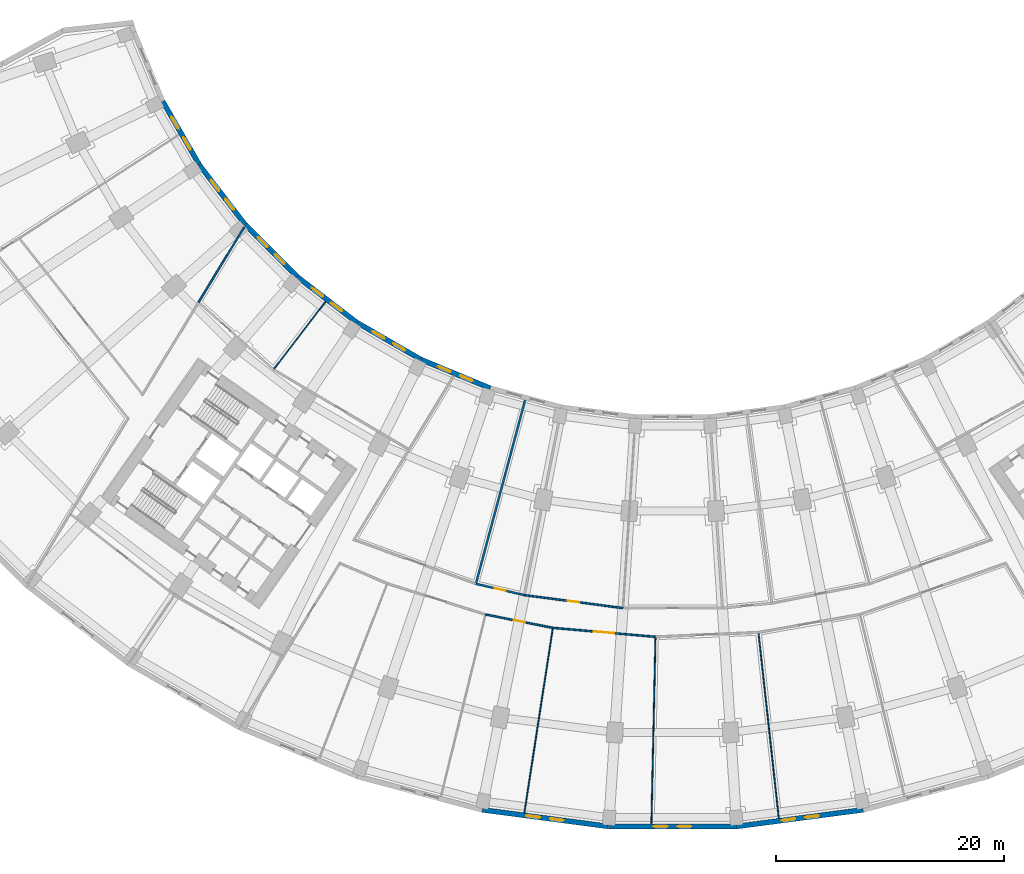
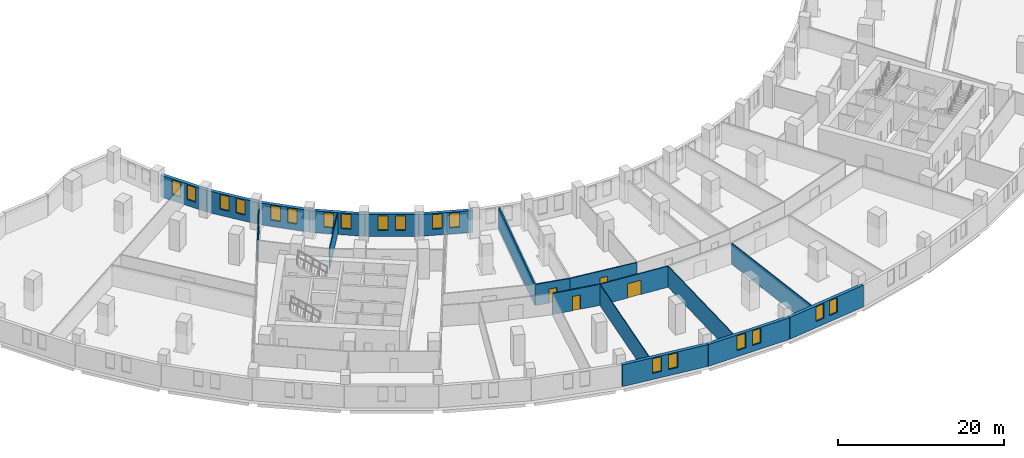
# One storey, part 8 of 20: 19 walls, 18 windows, 4 doors, 22 openings.
"""IFC4 building model written with IfcOpenShell, lengths in metres."""

from ifc_helpers import new_model, si_unit, direction, frame, frame_2d, origin, place, context, subcontext, project, spatial, rectangle, extrude, material, layer, layer_set, type_object, element, fill, save


model = new_model("IFC4")

# Units and contexts
model_context = context("Model", 3, precision=1e-05, world=origin(), true_north=direction((0.0, 1.0)))
body_context = subcontext(model_context, "Body", "Model", "MODEL_VIEW")
ifc_project = project(units=[si_unit("LENGTHUNIT", "METRE"), si_unit("AREAUNIT", "SQUARE_METRE"), si_unit("VOLUMEUNIT", "CUBIC_METRE"), si_unit("PLANEANGLEUNIT", "RADIAN"), si_unit("MASSUNIT", "GRAM", prefix="KILO")], contexts=[model_context])

# Site, building, storey
site_placement = place(None, origin())
site = spatial("IfcSite", under=ifc_project, at=site_placement, CompositionType="ELEMENT")
building_placement = place(site_placement, origin())
building = spatial("IfcBuilding", under=site, at=building_placement, Name="Qamariyya Broadcast Tower", CompositionType="ELEMENT")
storey_placement = place(building_placement, frame((0.0, 0.0, 31.5)))
storey = spatial("IfcBuildingStorey", under=building, at=storey_placement, Name="L04", CompositionType="ELEMENT", Elevation=31.5)

# Wall
ifc_material_1 = material(Name="Gypsum board partition")
ifc_layer_1 = layer(ifc_material_1, 0.14990234375)
ifc_layer_set_1 = layer_set([ifc_layer_1], Name="Corridor partition 150 EI 60")
wall_type_1 = type_object("IfcWallType", Name="Corridor partition 150 EI 60", PredefinedType="PARTITIONING", material=ifc_layer_set_1)
wall_1_placement = place(storey_placement, frame((-37.6376953125, -33.18701171875, 0.0), z_axis=(0.0, 0.0, 1.0), x_axis=(-0.519163683086, -0.854674833, 0.0)))
element("IfcWall", 1, at=wall_1_placement, inside=storey, type_object=wall_type_1, Name="Partition L04-013", PredefinedType="PARTITIONING", context=body_context, shape_type="SweptSolid", body=[
    extrude(rectangle(XDim=7.724853515625, YDim=0.14990234375, at=frame_2d((3.8623046875, 0.0))), origin(), (0.0, 0.0, 1.0), 3.10009765625),
])

# Wall, opening, door
wall_2_placement = place(storey_placement, frame((-10.52880859375, -68.394287109375, 0.0), z_axis=(0.0, 0.0, 1.0), x_axis=(-0.980785582749, 0.195088802015, 0.0)))
wall_2 = element("IfcWall", 2, at=wall_2_placement, inside=storey, type_object=wall_type_1, Name="Partition L04-026", PredefinedType="PARTITIONING", context=body_context, shape_type="SweptSolid", body=[
    extrude(rectangle(XDim=6.033203125, YDim=0.14990234375, at=frame_2d((3.0166015625, 0.0))), origin(), (0.0, 0.0, 1.0), 3.10009765625),
])
opening_1_placement = place(wall_2_placement, frame((2.5166015625, 0.0, 0.0)))
opening_1 = element("IfcOpeningElement", 3, at=opening_1_placement, cuts=wall_2, Name="Opening L04-D03", PredefinedType="OPENING", context=body_context, shape_type="SweptSolid", body=[
    extrude(rectangle(XDim=1.0, YDim=2.10009765625, at=frame_2d((0.5, 1.050048828125))), frame((0.0, 0.0849609375, 0.0), z_axis=(0.0, -1.0, 0.0), x_axis=(1.0, 0.0, 0.0)), (0.0, 0.0, 1.0), 0.169921875),
])
ifc_material_2 = material(Name="Timber fire door leaf", Category="wood")
door_type_1 = type_object("IfcDoorType", Name="Fire door 1000 x 2100 FD60", OperationType="NOTDEFINED", PredefinedType="DOOR", material=ifc_material_2)
door_1_placement = place(opening_1_placement, origin())
door_1 = element("IfcDoor", 4, at=door_1_placement, inside=storey, type_object=door_type_1, Name="Door L04-D03", OperationType="SINGLE_SWING_RIGHT", OverallHeight=2.10009765625, OverallWidth=1.0, PredefinedType="DOOR", context=body_context, shape_type="SweptSolid", body=[
    extrude(rectangle(XDim=1.0, YDim=2.10009765625, at=frame_2d((0.5, 1.050048828125))), frame((0.0, 0.02490234375, 0.0), z_axis=(0.0, -1.0, 0.0), x_axis=(1.0, 0.0, 0.0)), (0.0, 0.0, 1.0), 0.050048828125),
])
fill(opening_1, door_1)

wall_3_placement = place(storey_placement, frame((-13.031982421875, -65.516357421875, 0.0), z_axis=(0.0, 0.0, 1.0), x_axis=(0.991443260322, -0.130538352841, 0.0)))
wall_3 = element("IfcWall", 5, at=wall_3_placement, inside=storey, type_object=wall_type_1, Name="Partition L04-028", PredefinedType="PARTITIONING", context=body_context, shape_type="SweptSolid", body=[
    extrude(rectangle(XDim=8.73779296875, YDim=0.14990234375, at=frame_2d((4.368896484375, 0.0))), origin(), (0.0, 0.0, 1.0), 3.10009765625),
])
opening_2_placement = place(wall_3_placement, frame((3.868896484375, 0.0, 0.0)))
opening_2 = element("IfcOpeningElement", 6, at=opening_2_placement, cuts=wall_3, Name="Opening L04-D10", PredefinedType="OPENING", context=body_context, shape_type="SweptSolid", body=[
    extrude(rectangle(XDim=1.0, YDim=2.10009765625, at=frame_2d((0.5, 1.050048828125))), frame((0.0, 0.0849609375, 0.0), z_axis=(0.0, -1.0, 0.0), x_axis=(1.0, 0.0, 0.0)), (0.0, 0.0, 1.0), 0.169921875),
])
door_2_placement = place(opening_2_placement, origin())
door_2 = element("IfcDoor", 7, at=door_2_placement, inside=storey, type_object=door_type_1, Name="Door L04-D10", OperationType="SINGLE_SWING_RIGHT", OverallHeight=2.10009765625, OverallWidth=1.0, PredefinedType="DOOR", context=body_context, shape_type="SweptSolid", body=[
    extrude(rectangle(XDim=1.0, YDim=2.10009765625, at=frame_2d((0.5, 1.050048828125))), frame((0.0, 0.02490234375, 0.0), z_axis=(0.0, -1.0, 0.0), x_axis=(1.0, 0.0, 0.0)), (0.0, 0.0, 1.0), 0.050048828125),
])
fill(opening_2, door_2)

wall_4_placement = place(storey_placement, frame((-1.511474609375, -69.18359375, 0.0), z_axis=(0.0, 0.0, 1.0), x_axis=(-0.996190935779, 0.087198735491, 0.0)))
wall_4 = element("IfcWall", 8, at=wall_4_placement, inside=storey, type_object=wall_type_1, Name="Partition L04-030", PredefinedType="PARTITIONING", context=body_context, shape_type="SweptSolid", body=[
    extrude(rectangle(XDim=9.0517578125, YDim=0.14990234375, at=frame_2d((4.52587890625, 0.0))), origin(), (0.0, 0.0, 1.0), 3.10009765625),
])
opening_3_placement = place(wall_4_placement, frame((3.6259765625, 0.0, 0.0)))
opening_3 = element("IfcOpeningElement", 9, at=opening_3_placement, cuts=wall_4, Name="Opening L04-D04", PredefinedType="OPENING", context=body_context, shape_type="SweptSolid", body=[
    extrude(rectangle(XDim=1.800048828125, YDim=2.10009765625, at=frame_2d((0.89990234375, 1.050048828125))), frame((0.0, 0.0849609375, 0.0), z_axis=(0.0, -1.0, 0.0), x_axis=(1.0, 0.0, 0.0)), (0.0, 0.0, 1.0), 0.169921875),
])
door_type_2 = type_object("IfcDoorType", Name="Double fire door 1800 x 2100 FD60", OperationType="NOTDEFINED", PredefinedType="DOOR", material=ifc_material_2)
door_3_placement = place(opening_3_placement, origin())
door_3 = element("IfcDoor", 10, at=door_3_placement, inside=storey, type_object=door_type_2, Name="Door L04-D04", OperationType="DOUBLE_DOOR_SINGLE_SWING", OverallHeight=2.10009765625, OverallWidth=1.800048828125, PredefinedType="DOOR", context=body_context, shape_type="SweptSolid", body=[
    extrude(rectangle(XDim=1.800048828125, YDim=2.10009765625, at=frame_2d((0.89990234375, 1.050048828125))), frame((0.0, 0.02490234375, 0.0), z_axis=(0.0, -1.0, 0.0), x_axis=(1.0, 0.0, 0.0)), (0.0, 0.0, 1.0), 0.050048828125),
])
fill(opening_3, door_3)

# Walls
ifc_layer_2 = layer(ifc_material_1, 0.10009765625)
ifc_layer_set_2 = layer_set([ifc_layer_2], Name="Partition 100")
wall_type_2 = type_object("IfcWallType", Name="Partition 100", PredefinedType="PARTITIONING", material=ifc_layer_set_2)
wall_5_placement = place(storey_placement, frame((-30.494873046875, -39.741943359375, 0.0), z_axis=(0.0, 0.0, 1.0), x_axis=(-0.60877839598, -0.793340320788, 0.0)))
element("IfcWall", 11, at=wall_5_placement, inside=storey, type_object=wall_type_2, Name="Partition L04-017", PredefinedType="PARTITIONING", context=body_context, shape_type="SweptSolid", body=[
    extrude(rectangle(XDim=7.431640625, YDim=0.10009765625, at=frame_2d((3.7158203125, 0.0))), origin(), (0.0, 0.0, 1.0), 3.10009765625),
])
for number, where, z_axis, x_axis, name in (
    (12, (-13.029541015625, -84.638916015625, 0.0), (0.0, 0.0, 1.0), (0.15214688942, 0.988357892689, 0.0), "Partition L04-027"),
    (13, (-1.87060546875, -85.615478515625, 0.0), (0.0, 0.0, 1.0), (0.021846183574, 0.999761343653, 0.0), "Partition L04-034"),
    (14, (9.320556640625, -85.127197265625, 0.0), (0.0, 0.0, 1.0), (-0.1088427139, 0.99405898398, 0.0), "Partition L04-041"),
):
    element("IfcWall", number, at=place(storey_placement, frame(where, z_axis=z_axis, x_axis=x_axis)), inside=storey, type_object=wall_type_2, Name=name, PredefinedType="PARTITIONING", context=body_context, shape_type="SweptSolid", body=[
        extrude(rectangle(XDim=16.36083984375, YDim=0.10009765625, at=frame_2d((8.180419921875, 0.0))), origin(), (0.0, 0.0, 1.0), 3.10009765625),
    ])

# Wall, openings, windows
ifc_material_3 = material(Name="Precast concrete C40/50 with terracotta facing", Category="masonry")
ifc_layer_3 = layer(ifc_material_3, 0.449951171875)
ifc_layer_set_3 = layer_set([ifc_layer_3], Name="Precast concrete C40/50 wall 450, terracotta faced")
wall_type_3 = type_object("IfcWallType", Name="Precast concrete C40/50 wall 450, terracotta faced", PredefinedType="SOLIDWALL", material=ifc_layer_set_3)
wall_6_placement = place(storey_placement, frame((-41.58251953125, -27.7138671875, 0.0), z_axis=(0.0, 0.0, 1.0), x_axis=(-0.50000447882, 0.866022817921, 0.0)))
wall_6 = element("IfcWall", 15, at=wall_6_placement, inside=storey, type_object=wall_type_3, Name="e-wl-L04-in20", PredefinedType="SOLIDWALL", context=body_context, shape_type="SweptSolid", body=[
    extrude(rectangle(XDim=6.41943359375, YDim=0.449951171875, at=frame_2d((3.209716796875, 0.0))), origin(), (0.0, 0.0, 1.0), 3.199951171875),
])
opening_4_placement = place(wall_6_placement, frame((3.65966796875, 0.0, 0.89990234375)))
opening_4 = element("IfcOpeningElement", 16, at=opening_4_placement, cuts=wall_6, Name="Opening W3", PredefinedType="OPENING", context=body_context, shape_type="SweptSolid", body=[
    extrude(rectangle(XDim=1.199951171875, YDim=2.14990234375, at=frame_2d((0.60009765625, 1.074951171875))), frame((0.0, 0.23486328125, 0.0), z_axis=(0.0, -1.0, 0.0), x_axis=(1.0, 0.0, 0.0)), (0.0, 0.0, 1.0), 0.469970703125),
])
opening_5_placement = place(wall_6_placement, frame((1.5595703125, 0.0, 0.89990234375)))
opening_5 = element("IfcOpeningElement", 17, at=opening_5_placement, cuts=wall_6, Name="Opening W3", PredefinedType="OPENING", context=body_context, shape_type="SweptSolid", body=[
    extrude(rectangle(XDim=1.199951171875, YDim=2.14990234375, at=frame_2d((0.60009765625, 1.074951171875))), frame((0.0, 0.23486328125, 0.0), z_axis=(0.0, -1.0, 0.0), x_axis=(1.0, 0.0, 0.0)), (0.0, 0.0, 1.0), 0.469970703125),
])
ifc_material_4 = material(Name="Clear low-e double glazed unit in aluminium frame", Category="aluminium")
window_type = type_object("IfcWindowType", Name="Podium window 1200 x 2150", PartitioningType="SINGLE_PANEL", PredefinedType="WINDOW", material=ifc_material_4)
window_1_placement = place(opening_4_placement, origin())
window_1 = element("IfcWindow", 18, at=window_1_placement, inside=storey, type_object=window_type, Name="e-w-L04-in02a", OverallHeight=2.14990234375, OverallWidth=1.199951171875, PartitioningType="SINGLE_PANEL", PredefinedType="WINDOW", context=body_context, shape_type="SweptSolid", body=[
    extrude(rectangle(XDim=1.199951171875, YDim=2.14990234375, at=frame_2d((0.60009765625, 1.074951171875))), frame((0.0, 0.030029296875, 0.0), z_axis=(0.0, -1.0, 0.0), x_axis=(1.0, 0.0, 0.0)), (0.0, 0.0, 1.0), 0.06005859375),
])
fill(opening_4, window_1)
window_2_placement = place(opening_5_placement, origin())
window_2 = element("IfcWindow", 19, at=window_2_placement, inside=storey, type_object=window_type, Name="e-w-L04-in02b", OverallHeight=2.14990234375, OverallWidth=1.199951171875, PartitioningType="SINGLE_PANEL", PredefinedType="WINDOW", context=body_context, shape_type="SweptSolid", body=[
    extrude(rectangle(XDim=1.199951171875, YDim=2.14990234375, at=frame_2d((0.60009765625, 1.074951171875))), frame((0.0, 0.030029296875, 0.0), z_axis=(0.0, -1.0, 0.0), x_axis=(1.0, 0.0, 0.0)), (0.0, 0.0, 1.0), 0.06005859375),
])
fill(opening_5, window_2)

wall_7_placement = place(storey_placement, frame((-37.55517578125, -32.974853515625, 0.0), z_axis=(0.0, 0.0, 1.0), x_axis=(-0.608780327927, 0.793338838284, 0.0)))
wall_7 = element("IfcWall", 20, at=wall_7_placement, inside=storey, type_object=wall_type_3, Name="e-wl-L04-in30", PredefinedType="SOLIDWALL", context=body_context, shape_type="SweptSolid", body=[
    extrude(rectangle(XDim=6.596923828125, YDim=0.449951171875, at=frame_2d((3.29833984375, 0.0))), origin(), (0.0, 0.0, 1.0), 3.199951171875),
])
opening_6_placement = place(wall_7_placement, frame((3.74853515625, 0.0, 0.89990234375)))
opening_6 = element("IfcOpeningElement", 21, at=opening_6_placement, cuts=wall_7, Name="Opening W3", PredefinedType="OPENING", context=body_context, shape_type="SweptSolid", body=[
    extrude(rectangle(XDim=1.199951171875, YDim=2.14990234375, at=frame_2d((0.60009765625, 1.074951171875))), frame((0.0, 0.23486328125, 0.0), z_axis=(0.0, -1.0, 0.0), x_axis=(1.0, 0.0, 0.0)), (0.0, 0.0, 1.0), 0.469970703125),
])
opening_7_placement = place(wall_7_placement, frame((1.6484375, 0.0, 0.89990234375)))
opening_7 = element("IfcOpeningElement", 22, at=opening_7_placement, cuts=wall_7, Name="Opening W3", PredefinedType="OPENING", context=body_context, shape_type="SweptSolid", body=[
    extrude(rectangle(XDim=1.199951171875, YDim=2.14990234375, at=frame_2d((0.60009765625, 1.074951171875))), frame((0.0, 0.23486328125, 0.0), z_axis=(0.0, -1.0, 0.0), x_axis=(1.0, 0.0, 0.0)), (0.0, 0.0, 1.0), 0.469970703125),
])
window_3_placement = place(opening_6_placement, origin())
window_3 = element("IfcWindow", 23, at=window_3_placement, inside=storey, type_object=window_type, Name="e-w-L04-in03a", OverallHeight=2.14990234375, OverallWidth=1.199951171875, PartitioningType="SINGLE_PANEL", PredefinedType="WINDOW", context=body_context, shape_type="SweptSolid", body=[
    extrude(rectangle(XDim=1.199951171875, YDim=2.14990234375, at=frame_2d((0.60009765625, 1.074951171875))), frame((0.0, 0.030029296875, 0.0), z_axis=(0.0, -1.0, 0.0), x_axis=(1.0, 0.0, 0.0)), (0.0, 0.0, 1.0), 0.06005859375),
])
fill(opening_6, window_3)
window_4_placement = place(opening_7_placement, origin())
window_4 = element("IfcWindow", 24, at=window_4_placement, inside=storey, type_object=window_type, Name="e-w-L04-in03b", OverallHeight=2.14990234375, OverallWidth=1.199951171875, PartitioningType="SINGLE_PANEL", PredefinedType="WINDOW", context=body_context, shape_type="SweptSolid", body=[
    extrude(rectangle(XDim=1.199951171875, YDim=2.14990234375, at=frame_2d((0.60009765625, 1.074951171875))), frame((0.0, 0.030029296875, 0.0), z_axis=(0.0, -1.0, 0.0), x_axis=(1.0, 0.0, 0.0)), (0.0, 0.0, 1.0), 0.06005859375),
])
fill(opening_7, window_4)

wall_8_placement = place(storey_placement, frame((-32.992919921875, -37.531982421875, 0.0), z_axis=(0.0, 0.0, 1.0), x_axis=(-0.707106781187, 0.707106781187, 0.0)))
wall_8 = element("IfcWall", 25, at=wall_8_placement, inside=storey, type_object=wall_type_3, Name="e-wl-L04-in40", PredefinedType="SOLIDWALL", context=body_context, shape_type="SweptSolid", body=[
    extrude(rectangle(XDim=6.419189453125, YDim=0.449951171875, at=frame_2d((3.20947265625, 0.0))), origin(), (0.0, 0.0, 1.0), 3.199951171875),
])
opening_8_placement = place(wall_8_placement, frame((3.65966796875, 0.0, 0.89990234375)))
opening_8 = element("IfcOpeningElement", 26, at=opening_8_placement, cuts=wall_8, Name="Opening W3", PredefinedType="OPENING", context=body_context, shape_type="SweptSolid", body=[
    extrude(rectangle(XDim=1.199951171875, YDim=2.14990234375, at=frame_2d((0.60009765625, 1.074951171875))), frame((0.0, 0.23486328125, 0.0), z_axis=(0.0, -1.0, 0.0), x_axis=(1.0, 0.0, 0.0)), (0.0, 0.0, 1.0), 0.469970703125),
])
opening_9_placement = place(wall_8_placement, frame((1.5595703125, 0.0, 0.89990234375)))
opening_9 = element("IfcOpeningElement", 27, at=opening_9_placement, cuts=wall_8, Name="Opening W3", PredefinedType="OPENING", context=body_context, shape_type="SweptSolid", body=[
    extrude(rectangle(XDim=1.199951171875, YDim=2.14990234375, at=frame_2d((0.60009765625, 1.074951171875))), frame((0.0, 0.23486328125, 0.0), z_axis=(0.0, -1.0, 0.0), x_axis=(1.0, 0.0, 0.0)), (0.0, 0.0, 1.0), 0.469970703125),
])
window_5_placement = place(opening_8_placement, origin())
window_5 = element("IfcWindow", 28, at=window_5_placement, inside=storey, type_object=window_type, Name="e-w-L04-in04a", OverallHeight=2.14990234375, OverallWidth=1.199951171875, PartitioningType="SINGLE_PANEL", PredefinedType="WINDOW", context=body_context, shape_type="SweptSolid", body=[
    extrude(rectangle(XDim=1.199951171875, YDim=2.14990234375, at=frame_2d((0.60009765625, 1.074951171875))), frame((0.0, 0.030029296875, 0.0), z_axis=(0.0, -1.0, 0.0), x_axis=(1.0, 0.0, 0.0)), (0.0, 0.0, 1.0), 0.06005859375),
])
fill(opening_8, window_5)
window_6_placement = place(opening_9_placement, origin())
window_6 = element("IfcWindow", 29, at=window_6_placement, inside=storey, type_object=window_type, Name="e-w-L04-in04b", OverallHeight=2.14990234375, OverallWidth=1.199951171875, PartitioningType="SINGLE_PANEL", PredefinedType="WINDOW", context=body_context, shape_type="SweptSolid", body=[
    extrude(rectangle(XDim=1.199951171875, YDim=2.14990234375, at=frame_2d((0.60009765625, 1.074951171875))), frame((0.0, 0.030029296875, 0.0), z_axis=(0.0, -1.0, 0.0), x_axis=(1.0, 0.0, 0.0)), (0.0, 0.0, 1.0), 0.06005859375),
])
fill(opening_9, window_6)

wall_9_placement = place(storey_placement, frame((-27.7412109375, -41.5712890625, 0.0), z_axis=(0.0, 0.0, 1.0), x_axis=(-0.793338838284, 0.608780327927, 0.0)))
wall_9 = element("IfcWall", 30, at=wall_9_placement, inside=storey, type_object=wall_type_3, Name="e-wl-L04-in50", PredefinedType="SOLIDWALL", context=body_context, shape_type="SweptSolid", body=[
    extrude(rectangle(XDim=6.596923828125, YDim=0.449951171875, at=frame_2d((3.29833984375, 0.0))), origin(), (0.0, 0.0, 1.0), 3.199951171875),
])
opening_10_placement = place(wall_9_placement, frame((3.74853515625, 0.0, 0.89990234375)))
opening_10 = element("IfcOpeningElement", 31, at=opening_10_placement, cuts=wall_9, Name="Opening W3", PredefinedType="OPENING", context=body_context, shape_type="SweptSolid", body=[
    extrude(rectangle(XDim=1.199951171875, YDim=2.14990234375, at=frame_2d((0.60009765625, 1.074951171875))), frame((0.0, 0.23486328125, 0.0), z_axis=(0.0, -1.0, 0.0), x_axis=(1.0, 0.0, 0.0)), (0.0, 0.0, 1.0), 0.469970703125),
])
opening_11_placement = place(wall_9_placement, frame((1.6484375, 0.0, 0.89990234375)))
opening_11 = element("IfcOpeningElement", 32, at=opening_11_placement, cuts=wall_9, Name="Opening W3", PredefinedType="OPENING", context=body_context, shape_type="SweptSolid", body=[
    extrude(rectangle(XDim=1.199951171875, YDim=2.14990234375, at=frame_2d((0.60009765625, 1.074951171875))), frame((0.0, 0.23486328125, 0.0), z_axis=(0.0, -1.0, 0.0), x_axis=(1.0, 0.0, 0.0)), (0.0, 0.0, 1.0), 0.469970703125),
])
window_7_placement = place(opening_10_placement, origin())
window_7 = element("IfcWindow", 33, at=window_7_placement, inside=storey, type_object=window_type, Name="e-w-L04-in05a", OverallHeight=2.14990234375, OverallWidth=1.199951171875, PartitioningType="SINGLE_PANEL", PredefinedType="WINDOW", context=body_context, shape_type="SweptSolid", body=[
    extrude(rectangle(XDim=1.199951171875, YDim=2.14990234375, at=frame_2d((0.60009765625, 1.074951171875))), frame((0.0, 0.030029296875, 0.0), z_axis=(0.0, -1.0, 0.0), x_axis=(1.0, 0.0, 0.0)), (0.0, 0.0, 1.0), 0.06005859375),
])
fill(opening_10, window_7)
window_8_placement = place(opening_11_placement, origin())
window_8 = element("IfcWindow", 34, at=window_8_placement, inside=storey, type_object=window_type, Name="e-w-L04-in05b", OverallHeight=2.14990234375, OverallWidth=1.199951171875, PartitioningType="SINGLE_PANEL", PredefinedType="WINDOW", context=body_context, shape_type="SweptSolid", body=[
    extrude(rectangle(XDim=1.199951171875, YDim=2.14990234375, at=frame_2d((0.60009765625, 1.074951171875))), frame((0.0, 0.030029296875, 0.0), z_axis=(0.0, -1.0, 0.0), x_axis=(1.0, 0.0, 0.0)), (0.0, 0.0, 1.0), 0.06005859375),
])
fill(opening_11, window_8)

wall_10_placement = place(storey_placement, frame((-22.154541015625, -44.792236328125, 0.0), z_axis=(0.0, 0.0, 1.0), x_axis=(-0.866022817921, 0.50000447882, 0.0)))
wall_10 = element("IfcWall", 35, at=wall_10_placement, inside=storey, type_object=wall_type_3, Name="e-wl-L04-in60", PredefinedType="SOLIDWALL", context=body_context, shape_type="SweptSolid", body=[
    extrude(rectangle(XDim=6.41943359375, YDim=0.449951171875, at=frame_2d((3.209716796875, 0.0))), origin(), (0.0, 0.0, 1.0), 3.199951171875),
])
opening_12_placement = place(wall_10_placement, frame((3.65966796875, 0.0, 0.89990234375)))
opening_12 = element("IfcOpeningElement", 36, at=opening_12_placement, cuts=wall_10, Name="Opening W3", PredefinedType="OPENING", context=body_context, shape_type="SweptSolid", body=[
    extrude(rectangle(XDim=1.199951171875, YDim=2.14990234375, at=frame_2d((0.60009765625, 1.074951171875))), frame((0.0, 0.23486328125, 0.0), z_axis=(0.0, -1.0, 0.0), x_axis=(1.0, 0.0, 0.0)), (0.0, 0.0, 1.0), 0.469970703125),
])
opening_13_placement = place(wall_10_placement, frame((1.5595703125, 0.0, 0.89990234375)))
opening_13 = element("IfcOpeningElement", 37, at=opening_13_placement, cuts=wall_10, Name="Opening W3", PredefinedType="OPENING", context=body_context, shape_type="SweptSolid", body=[
    extrude(rectangle(XDim=1.199951171875, YDim=2.14990234375, at=frame_2d((0.60009765625, 1.074951171875))), frame((0.0, 0.23486328125, 0.0), z_axis=(0.0, -1.0, 0.0), x_axis=(1.0, 0.0, 0.0)), (0.0, 0.0, 1.0), 0.469970703125),
])
window_9_placement = place(opening_12_placement, origin())
window_9 = element("IfcWindow", 38, at=window_9_placement, inside=storey, type_object=window_type, Name="e-w-L04-in06a", OverallHeight=2.14990234375, OverallWidth=1.199951171875, PartitioningType="SINGLE_PANEL", PredefinedType="WINDOW", context=body_context, shape_type="SweptSolid", body=[
    extrude(rectangle(XDim=1.199951171875, YDim=2.14990234375, at=frame_2d((0.60009765625, 1.074951171875))), frame((0.0, 0.030029296875, 0.0), z_axis=(0.0, -1.0, 0.0), x_axis=(1.0, 0.0, 0.0)), (0.0, 0.0, 1.0), 0.06005859375),
])
fill(opening_12, window_9)
window_10_placement = place(opening_13_placement, origin())
window_10 = element("IfcWindow", 39, at=window_10_placement, inside=storey, type_object=window_type, Name="e-w-L04-in06b", OverallHeight=2.14990234375, OverallWidth=1.199951171875, PartitioningType="SINGLE_PANEL", PredefinedType="WINDOW", context=body_context, shape_type="SweptSolid", body=[
    extrude(rectangle(XDim=1.199951171875, YDim=2.14990234375, at=frame_2d((0.60009765625, 1.074951171875))), frame((0.0, 0.030029296875, 0.0), z_axis=(0.0, -1.0, 0.0), x_axis=(1.0, 0.0, 0.0)), (0.0, 0.0, 1.0), 0.06005859375),
])
fill(opening_13, window_10)

wall_11_placement = place(storey_placement, frame((-16.036376953125, -47.334716796875, 0.0), z_axis=(0.0, 0.0, 1.0), x_axis=(-0.923877459804, 0.382688436284, 0.0)))
wall_11 = element("IfcWall", 40, at=wall_11_placement, inside=storey, type_object=wall_type_3, Name="e-wl-L04-in70", PredefinedType="SOLIDWALL", context=body_context, shape_type="SweptSolid", body=[
    extrude(rectangle(XDim=6.59716796875, YDim=0.449951171875, at=frame_2d((3.298583984375, 0.0))), origin(), (0.0, 0.0, 1.0), 3.199951171875),
])
opening_14_placement = place(wall_11_placement, frame((3.74853515625, 0.0, 0.89990234375)))
opening_14 = element("IfcOpeningElement", 41, at=opening_14_placement, cuts=wall_11, Name="Opening W3", PredefinedType="OPENING", context=body_context, shape_type="SweptSolid", body=[
    extrude(rectangle(XDim=1.199951171875, YDim=2.14990234375, at=frame_2d((0.60009765625, 1.074951171875))), frame((0.0, 0.23486328125, 0.0), z_axis=(0.0, -1.0, 0.0), x_axis=(1.0, 0.0, 0.0)), (0.0, 0.0, 1.0), 0.469970703125),
])
opening_15_placement = place(wall_11_placement, frame((1.6484375, 0.0, 0.89990234375)))
opening_15 = element("IfcOpeningElement", 42, at=opening_15_placement, cuts=wall_11, Name="Opening W3", PredefinedType="OPENING", context=body_context, shape_type="SweptSolid", body=[
    extrude(rectangle(XDim=1.199951171875, YDim=2.14990234375, at=frame_2d((0.60009765625, 1.074951171875))), frame((0.0, 0.23486328125, 0.0), z_axis=(0.0, -1.0, 0.0), x_axis=(1.0, 0.0, 0.0)), (0.0, 0.0, 1.0), 0.469970703125),
])
window_11_placement = place(opening_14_placement, origin())
window_11 = element("IfcWindow", 43, at=window_11_placement, inside=storey, type_object=window_type, Name="e-w-L04-in07a", OverallHeight=2.14990234375, OverallWidth=1.199951171875, PartitioningType="SINGLE_PANEL", PredefinedType="WINDOW", context=body_context, shape_type="SweptSolid", body=[
    extrude(rectangle(XDim=1.199951171875, YDim=2.14990234375, at=frame_2d((0.60009765625, 1.074951171875))), frame((0.0, 0.030029296875, 0.0), z_axis=(0.0, -1.0, 0.0), x_axis=(1.0, 0.0, 0.0)), (0.0, 0.0, 1.0), 0.06005859375),
])
fill(opening_14, window_11)
window_12_placement = place(opening_15_placement, origin())
window_12 = element("IfcWindow", 44, at=window_12_placement, inside=storey, type_object=window_type, Name="e-w-L04-in07b", OverallHeight=2.14990234375, OverallWidth=1.199951171875, PartitioningType="SINGLE_PANEL", PredefinedType="WINDOW", context=body_context, shape_type="SweptSolid", body=[
    extrude(rectangle(XDim=1.199951171875, YDim=2.14990234375, at=frame_2d((0.60009765625, 1.074951171875))), frame((0.0, 0.030029296875, 0.0), z_axis=(0.0, -1.0, 0.0), x_axis=(1.0, 0.0, 0.0)), (0.0, 0.0, 1.0), 0.06005859375),
])
fill(opening_15, window_12)

wall_12_placement = place(storey_placement, frame((-5.65625, -85.84033203125, 0.0), z_axis=(0.0, 0.0, 1.0), x_axis=(1.0, 0.0, 0.0)))
wall_12 = element("IfcWall", 45, at=wall_12_placement, inside=storey, type_object=wall_type_3, Name="e-wl-L04-out100", PredefinedType="SOLIDWALL", context=body_context, shape_type="SweptSolid", body=[
    extrude(rectangle(XDim=11.3125, YDim=0.449951171875, at=frame_2d((5.65625, 0.0))), origin(), (0.0, 0.0, 1.0), 3.199951171875),
])
opening_16_placement = place(wall_12_placement, frame((4.00634765625, 0.0, 0.89990234375)))
opening_16 = element("IfcOpeningElement", 46, at=opening_16_placement, cuts=wall_12, Name="Opening W3", PredefinedType="OPENING", context=body_context, shape_type="SweptSolid", body=[
    extrude(rectangle(XDim=1.199951171875, YDim=2.14990234375, at=frame_2d((0.60009765625, 1.074951171875))), frame((0.0, 0.23486328125, 0.0), z_axis=(0.0, -1.0, 0.0), x_axis=(1.0, 0.0, 0.0)), (0.0, 0.0, 1.0), 0.469970703125),
])
opening_17_placement = place(wall_12_placement, frame((6.106201171875, 0.0, 0.89990234375)))
opening_17 = element("IfcOpeningElement", 47, at=opening_17_placement, cuts=wall_12, Name="Opening W3", PredefinedType="OPENING", context=body_context, shape_type="SweptSolid", body=[
    extrude(rectangle(XDim=1.199951171875, YDim=2.14990234375, at=frame_2d((0.60009765625, 1.074951171875))), frame((0.0, 0.23486328125, 0.0), z_axis=(0.0, -1.0, 0.0), x_axis=(1.0, 0.0, 0.0)), (0.0, 0.0, 1.0), 0.469970703125),
])
window_13_placement = place(opening_16_placement, origin())
window_13 = element("IfcWindow", 48, at=window_13_placement, inside=storey, type_object=window_type, Name="e-w-L04-out10a", OverallHeight=2.14990234375, OverallWidth=1.199951171875, PartitioningType="SINGLE_PANEL", PredefinedType="WINDOW", context=body_context, shape_type="SweptSolid", body=[
    extrude(rectangle(XDim=1.199951171875, YDim=2.14990234375, at=frame_2d((0.60009765625, 1.074951171875))), frame((0.0, 0.030029296875, 0.0), z_axis=(0.0, -1.0, 0.0), x_axis=(1.0, 0.0, 0.0)), (0.0, 0.0, 1.0), 0.06005859375),
])
fill(opening_16, window_13)
window_14_placement = place(opening_17_placement, origin())
window_14 = element("IfcWindow", 49, at=window_14_placement, inside=storey, type_object=window_type, Name="e-w-L04-out10b", OverallHeight=2.14990234375, OverallWidth=1.199951171875, PartitioningType="SINGLE_PANEL", PredefinedType="WINDOW", context=body_context, shape_type="SweptSolid", body=[
    extrude(rectangle(XDim=1.199951171875, YDim=2.14990234375, at=frame_2d((0.60009765625, 1.074951171875))), frame((0.0, 0.030029296875, 0.0), z_axis=(0.0, -1.0, 0.0), x_axis=(1.0, 0.0, 0.0)), (0.0, 0.0, 1.0), 0.06005859375),
])
fill(opening_17, window_14)

wall_13_placement = place(storey_placement, frame((5.684814453125, -85.83251953125, 0.0), z_axis=(0.0, 0.0, 1.0), x_axis=(0.991447502826, 0.130506126829, 0.0)))
wall_13 = element("IfcWall", 50, at=wall_13_placement, inside=storey, type_object=wall_type_3, Name="e-wl-L04-out110", PredefinedType="SOLIDWALL", context=body_context, shape_type="SweptSolid", body=[
    extrude(rectangle(XDim=11.134521484375, YDim=0.449951171875, at=frame_2d((5.5673828125, 0.0))), origin(), (0.0, 0.0, 1.0), 3.199951171875),
])
opening_18_placement = place(wall_13_placement, frame((3.917236328125, 0.0, 0.89990234375)))
opening_18 = element("IfcOpeningElement", 51, at=opening_18_placement, cuts=wall_13, Name="Opening W3", PredefinedType="OPENING", context=body_context, shape_type="SweptSolid", body=[
    extrude(rectangle(XDim=1.199951171875, YDim=2.14990234375, at=frame_2d((0.60009765625, 1.074951171875))), frame((0.0, 0.23486328125, 0.0), z_axis=(0.0, -1.0, 0.0), x_axis=(1.0, 0.0, 0.0)), (0.0, 0.0, 1.0), 0.469970703125),
])
opening_19_placement = place(wall_13_placement, frame((6.017333984375, 0.0, 0.89990234375)))
opening_19 = element("IfcOpeningElement", 52, at=opening_19_placement, cuts=wall_13, Name="Opening W3", PredefinedType="OPENING", context=body_context, shape_type="SweptSolid", body=[
    extrude(rectangle(XDim=1.199951171875, YDim=2.14990234375, at=frame_2d((0.60009765625, 1.074951171875))), frame((0.0, 0.23486328125, 0.0), z_axis=(0.0, -1.0, 0.0), x_axis=(1.0, 0.0, 0.0)), (0.0, 0.0, 1.0), 0.469970703125),
])
window_15_placement = place(opening_18_placement, origin())
window_15 = element("IfcWindow", 53, at=window_15_placement, inside=storey, type_object=window_type, Name="e-w-L04-out11a", OverallHeight=2.14990234375, OverallWidth=1.199951171875, PartitioningType="SINGLE_PANEL", PredefinedType="WINDOW", context=body_context, shape_type="SweptSolid", body=[
    extrude(rectangle(XDim=1.199951171875, YDim=2.14990234375, at=frame_2d((0.60009765625, 1.074951171875))), frame((0.0, 0.030029296875, 0.0), z_axis=(0.0, -1.0, 0.0), x_axis=(1.0, 0.0, 0.0)), (0.0, 0.0, 1.0), 0.06005859375),
])
fill(opening_18, window_15)
window_16_placement = place(opening_19_placement, origin())
window_16 = element("IfcWindow", 54, at=window_16_placement, inside=storey, type_object=window_type, Name="e-w-L04-out11b", OverallHeight=2.14990234375, OverallWidth=1.199951171875, PartitioningType="SINGLE_PANEL", PredefinedType="WINDOW", context=body_context, shape_type="SweptSolid", body=[
    extrude(rectangle(XDim=1.199951171875, YDim=2.14990234375, at=frame_2d((0.60009765625, 1.074951171875))), frame((0.0, 0.030029296875, 0.0), z_axis=(0.0, -1.0, 0.0), x_axis=(1.0, 0.0, 0.0)), (0.0, 0.0, 1.0), 0.06005859375),
])
fill(opening_19, window_16)

wall_14_placement = place(storey_placement, frame((-16.72412109375, -84.37939453125, 0.0), z_axis=(0.0, 0.0, 1.0), x_axis=(0.991447502826, -0.130506126829, 0.0)))
wall_14 = element("IfcWall", 55, at=wall_14_placement, inside=storey, type_object=wall_type_3, Name="e-wl-L04-out90", PredefinedType="SOLIDWALL", context=body_context, shape_type="SweptSolid", body=[
    extrude(rectangle(XDim=11.134521484375, YDim=0.449951171875, at=frame_2d((5.5673828125, 0.0))), origin(), (0.0, 0.0, 1.0), 3.199951171875),
])
opening_20_placement = place(wall_14_placement, frame((3.917236328125, 0.0, 0.89990234375)))
opening_20 = element("IfcOpeningElement", 56, at=opening_20_placement, cuts=wall_14, Name="Opening W3", PredefinedType="OPENING", context=body_context, shape_type="SweptSolid", body=[
    extrude(rectangle(XDim=1.199951171875, YDim=2.14990234375, at=frame_2d((0.60009765625, 1.074951171875))), frame((0.0, 0.23486328125, 0.0), z_axis=(0.0, -1.0, 0.0), x_axis=(1.0, 0.0, 0.0)), (0.0, 0.0, 1.0), 0.469970703125),
])
opening_21_placement = place(wall_14_placement, frame((6.017333984375, 0.0, 0.89990234375)))
opening_21 = element("IfcOpeningElement", 57, at=opening_21_placement, cuts=wall_14, Name="Opening W3", PredefinedType="OPENING", context=body_context, shape_type="SweptSolid", body=[
    extrude(rectangle(XDim=1.199951171875, YDim=2.14990234375, at=frame_2d((0.60009765625, 1.074951171875))), frame((0.0, 0.23486328125, 0.0), z_axis=(0.0, -1.0, 0.0), x_axis=(1.0, 0.0, 0.0)), (0.0, 0.0, 1.0), 0.469970703125),
])
window_17_placement = place(opening_20_placement, origin())
window_17 = element("IfcWindow", 58, at=window_17_placement, inside=storey, type_object=window_type, Name="e-w-L04-out09a", OverallHeight=2.14990234375, OverallWidth=1.199951171875, PartitioningType="SINGLE_PANEL", PredefinedType="WINDOW", context=body_context, shape_type="SweptSolid", body=[
    extrude(rectangle(XDim=1.199951171875, YDim=2.14990234375, at=frame_2d((0.60009765625, 1.074951171875))), frame((0.0, 0.030029296875, 0.0), z_axis=(0.0, -1.0, 0.0), x_axis=(1.0, 0.0, 0.0)), (0.0, 0.0, 1.0), 0.06005859375),
])
fill(opening_20, window_17)
window_18_placement = place(opening_21_placement, origin())
window_18 = element("IfcWindow", 59, at=window_18_placement, inside=storey, type_object=window_type, Name="e-w-L04-out09b", OverallHeight=2.14990234375, OverallWidth=1.199951171875, PartitioningType="SINGLE_PANEL", PredefinedType="WINDOW", context=body_context, shape_type="SweptSolid", body=[
    extrude(rectangle(XDim=1.199951171875, YDim=2.14990234375, at=frame_2d((0.60009765625, 1.074951171875))), frame((0.0, 0.030029296875, 0.0), z_axis=(0.0, -1.0, 0.0), x_axis=(1.0, 0.0, 0.0)), (0.0, 0.0, 1.0), 0.06005859375),
])
fill(opening_21, window_18)

# Wall, opening, door
ifc_layer_4 = layer(ifc_material_1, 0.179931640625)
ifc_layer_set_4 = layer_set([ifc_layer_4], Name="Studio acoustic partition 180 EI 60")
wall_type_4 = type_object("IfcWallType", Name="Studio acoustic partition 180 EI 60", PredefinedType="PARTITIONING", material=ifc_layer_set_4)
wall_15_placement = place(storey_placement, frame((-17.2890625, -64.52392578125, 0.0), z_axis=(0.0, 0.0, 1.0), x_axis=(0.973886095728, -0.227037161159, 0.0)))
wall_15 = element("IfcWall", 60, at=wall_15_placement, inside=storey, type_object=wall_type_4, Name="Partition L04-025", PredefinedType="PARTITIONING", context=body_context, shape_type="SweptSolid", body=[
    extrude(rectangle(XDim=4.371337890625, YDim=0.179931640625, at=frame_2d((2.185546875, 0.0))), origin(), (0.0, 0.0, 1.0), 3.10009765625),
])
opening_22_placement = place(wall_15_placement, frame((1.685546875, 0.0, 0.0)))
opening_22 = element("IfcOpeningElement", 61, at=opening_22_placement, cuts=wall_15, Name="Opening L04-D09", PredefinedType="OPENING", context=body_context, shape_type="SweptSolid", body=[
    extrude(rectangle(XDim=1.0, YDim=2.10009765625, at=frame_2d((0.5, 1.050048828125))), frame((0.0, 0.099853515625, 0.0), z_axis=(0.0, -1.0, 0.0), x_axis=(1.0, 0.0, 0.0)), (0.0, 0.0, 1.0), 0.199951171875),
])
door_4_placement = place(opening_22_placement, origin())
door_4 = element("IfcDoor", 62, at=door_4_placement, inside=storey, type_object=door_type_1, Name="Door L04-D09", OperationType="SINGLE_SWING_RIGHT", OverallHeight=2.10009765625, OverallWidth=1.0, PredefinedType="DOOR", context=body_context, shape_type="SweptSolid", body=[
    extrude(rectangle(XDim=1.0, YDim=2.10009765625, at=frame_2d((0.5, 1.050048828125))), frame((0.0, 0.02490234375, 0.0), z_axis=(0.0, -1.0, 0.0), x_axis=(1.0, 0.0, 0.0)), (0.0, 0.0, 1.0), 0.050048828125),
])
fill(opening_22, door_4)

# Wall
wall_16_placement = place(storey_placement, frame((-12.965087890625, -48.386474609375, 0.0), z_axis=(0.0, 0.0, 1.0), x_axis=(-0.258822009397, -0.965925032004, 0.0)))
element("IfcWall", 63, at=wall_16_placement, inside=storey, type_object=wall_type_4, Name="Partition L04-029", PredefinedType="PARTITIONING", context=body_context, shape_type="SweptSolid", body=[
    extrude(rectangle(XDim=16.61669921875, YDim=0.179931640625, at=frame_2d((8.308349609375, 0.0))), origin(), (0.0, 0.0, 1.0), 3.10009765625),
])

save(model, "model.ifc")
